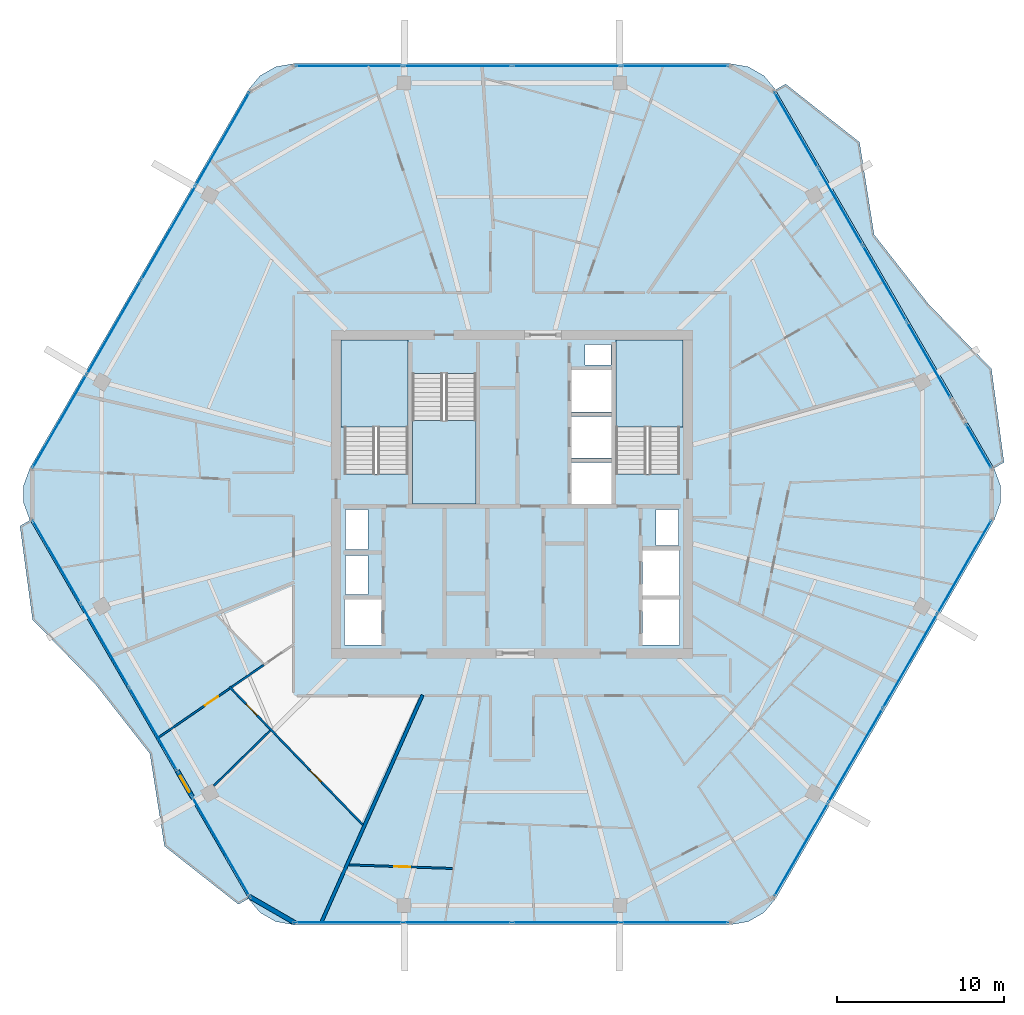
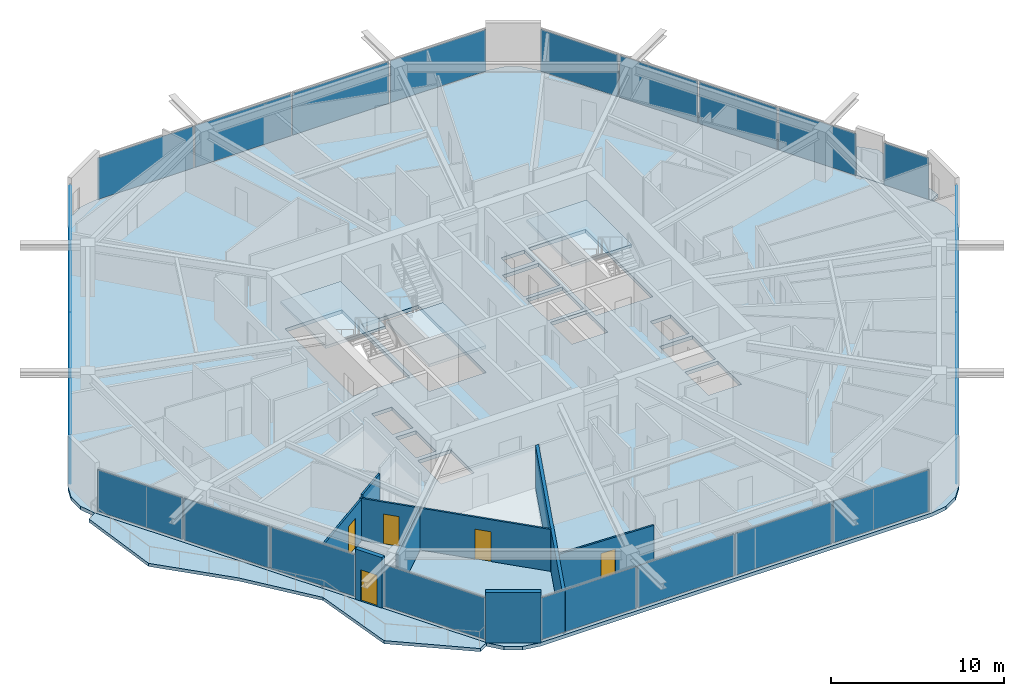
# One storey, part 17 of 26: 25 plates, 8 walls, 6 slabs, 5 doors, 5 openings, 11 elements without a shape of their own.
"""IFC4 building model written with IfcOpenShell, lengths in metres."""

from ifc_helpers import new_model, si_unit, direction, frame, frame_2d, origin, origin_2d, place, context, subcontext, project, spatial, polyline, rectangle, outline, extrude, material, layer, layer_set, type_object, element, fill, aggregate, save


model = new_model("IFC4")

# Units and contexts
model_context = context("Model", 3, precision=1e-05, world=origin(), true_north=direction((0.0, 1.0)))
body_context = subcontext(model_context, "Body", "Model", "MODEL_VIEW")
ifc_project = project(units=[si_unit("LENGTHUNIT", "METRE"), si_unit("AREAUNIT", "SQUARE_METRE"), si_unit("VOLUMEUNIT", "CUBIC_METRE"), si_unit("PLANEANGLEUNIT", "RADIAN"), si_unit("MASSUNIT", "GRAM", prefix="KILO")], contexts=[model_context])

# Site, building, storey
site_placement = place(None, origin())
site = spatial("IfcSite", under=ifc_project, at=site_placement, CompositionType="ELEMENT")
building_placement = place(site_placement, origin())
building = spatial("IfcBuilding", under=site, at=building_placement, Name="Zuhravey Tower", CompositionType="ELEMENT")
storey_placement = place(building_placement, frame((0.0, 0.0, 295.800048828125)))
storey = spatial("IfcBuildingStorey", under=building, at=storey_placement, Name="L75", CompositionType="ELEMENT", Elevation=295.800048828125)

# Slabs
ifc_material_1 = material(Name="Concrete C50/60", Category="concrete")
ifc_layer_1 = layer(ifc_material_1, 0.25)
ifc_layer_set_1 = layer_set([ifc_layer_1], Name="Concrete C50/60")
slab_type_1 = type_object("IfcSlabType", Name="Residential Acoustic Slab 250", PredefinedType="FLOOR", material=ifc_layer_set_1)
slab_1_placement = place(storey_placement, frame((0.0, 0.0, -0.25)))
element("IfcSlab", 1, at=slab_1_placement, inside=storey, type_object=slab_type_1, Name="L75 Floor Slab FS25", PredefinedType="FLOOR", context=body_context, shape_type="SweptSolid", body=[
    extrude(outline(polyline([(64.78515625, 30.449951171875), (65.1533203125, 31.461669921875), (65.1533203125, 32.538330078125), (64.78515625, 33.550048828125), (51.73486328125, 56.153564453125), (51.04296875, 56.978515625), (50.110595703125, 57.5166015625), (49.05029296875, 57.70361328125), (22.94970703125, 57.70361328125), (21.889404296875, 57.5166015625), (20.95703125, 56.978515625), (20.26513671875, 56.153564453125), (7.21484375, 33.550048828125), (6.8466796875, 32.538330078125), (6.8466796875, 31.461669921875), (7.21484375, 30.449951171875), (20.26513671875, 7.846435546875), (20.95703125, 7.021484375), (21.889404296875, 6.4833984375), (22.94970703125, 6.29638671875), (49.05029296875, 6.29638671875), (50.110595703125, 6.4833984375), (51.04296875, 7.021484375), (51.73486328125, 7.846435546875), (64.78515625, 30.449951171875)]), holes=[polyline([(29.800048828125, 33.20068359375), (29.800048828125, 41.0), (26.0, 41.0), (26.0, 33.20068359375), (29.800048828125, 33.20068359375)]), polyline([(46.0, 33.20068359375), (46.0, 41.0), (42.199951171875, 41.0), (42.199951171875, 33.20068359375), (46.0, 33.20068359375)]), polyline([(30.050048828125, 39.199462890625), (30.050048828125, 31.39990234375), (33.85009765625, 31.39990234375), (33.85009765625, 39.199462890625), (30.050048828125, 39.199462890625)]), polyline([(39.550048828125, 31.39990234375), (41.949951171875, 31.39990234375), (41.949951171875, 33.89990234375), (39.550048828125, 33.89990234375), (39.550048828125, 31.39990234375)]), polyline([(39.550048828125, 34.14990234375), (41.949951171875, 34.14990234375), (41.949951171875, 36.64990234375), (39.550048828125, 36.64990234375), (39.550048828125, 34.14990234375)]), polyline([(39.550048828125, 36.89990234375), (41.949951171875, 36.89990234375), (41.949951171875, 39.39990234375), (39.550048828125, 39.39990234375), (39.550048828125, 36.89990234375)]), polyline([(26.0, 23.0), (28.199951171875, 23.0), (28.199951171875, 25.699951171875), (26.0, 25.699951171875), (26.0, 23.0)]), polyline([(43.800048828125, 23.0), (46.0, 23.0), (46.0, 25.699951171875), (43.800048828125, 25.699951171875), (43.800048828125, 23.0)]), polyline([(43.800048828125, 25.949951171875), (46.0, 25.949951171875), (46.0, 28.64990234375), (43.800048828125, 28.64990234375), (43.800048828125, 25.949951171875)]), polyline([(26.050048828125, 26.0), (27.39990234375, 26.0), (27.39990234375, 28.35009765625), (26.050048828125, 28.35009765625), (26.050048828125, 26.0)]), polyline([(26.050048828125, 28.699951171875), (27.39990234375, 28.699951171875), (27.39990234375, 31.10009765625), (26.050048828125, 31.10009765625), (26.050048828125, 28.699951171875)]), polyline([(44.60009765625, 28.949951171875), (45.949951171875, 28.949951171875), (45.949951171875, 31.10009765625), (44.60009765625, 31.10009765625), (44.60009765625, 28.949951171875)]), polyline([(40.35009765625, 39.699951171875), (41.89990234375, 39.699951171875), (41.89990234375, 40.949951171875), (40.35009765625, 40.949951171875), (40.35009765625, 39.699951171875)])]), origin(), (0.0, 0.0, 1.0), 0.25),
])
ifc_material_2 = material(Name="Concrete C40/50", Category="concrete")
ifc_layer_2 = layer(ifc_material_2, 0.219970703125)
ifc_layer_set_2 = layer_set([ifc_layer_2], Name="Concrete C40/50")
slab_type_2 = type_object("IfcSlabType", Name="Sinusoidal Residential Wave Balcony 220", PredefinedType="FLOOR", material=ifc_layer_set_2)
slab_2_placement = place(storey_placement, frame((0.0, 0.0, -0.219970703125)))
element("IfcSlab", 2, at=slab_2_placement, inside=storey, type_object=slab_type_2, Name="L75 Face 4 Wave Balcony WB22", PredefinedType="FLOOR", context=body_context, shape_type="SweptSolid", body=[
    extrude(outline(polyline([(7.232177734375, 30.449951171875), (20.273681640625, 7.861328125), (19.66748046875, 7.511474609375), (15.253662109375, 10.986572265625), (14.38232421875, 16.50732421875), (11.13232421875, 20.654541015625), (7.376953125, 24.510009765625), (6.6259765625, 30.10009765625), (7.232177734375, 30.449951171875)])), origin(), (0.0, 0.0, 1.0), 0.219970703125),
])
slab_3_placement = place(storey_placement, frame((0.0, 0.0, -0.219970703125)))
element("IfcSlab", 3, at=slab_3_placement, inside=storey, type_object=slab_type_2, Name="L75 Face 1 Wave Balcony WB22", PredefinedType="FLOOR", context=body_context, shape_type="SweptSolid", body=[
    extrude(outline(polyline([(64.767822265625, 33.550048828125), (51.726318359375, 56.138671875), (52.33251953125, 56.488525390625), (56.746337890625, 53.013427734375), (57.61767578125, 47.49267578125), (60.86767578125, 43.345458984375), (64.623046875, 39.489990234375), (65.3740234375, 33.89990234375), (64.767822265625, 33.550048828125)])), origin(), (0.0, 0.0, 1.0), 0.219970703125),
])

# Stair, slab
stair_type = type_object("IfcStairType", Name="Housing Storey Stair Assembly 3800", PredefinedType="HALF_TURN_STAIR", material=ifc_material_2)
stair_1_placement = place(storey_placement, origin())
stair_1 = element("IfcStair", 4, at=stair_1_placement, inside=storey, type_object=stair_type, Name="L75 Core Exit Stair ST1", PredefinedType="HALF_TURN_STAIR")
ifc_layer_3 = layer(ifc_material_2, 0.199951171875)
ifc_layer_set_3 = layer_set([ifc_layer_3], Name="Concrete C40/50")
slab_type_3 = type_object("IfcSlabType", Name="Stair Landing Slab 200", PredefinedType="LANDING", material=ifc_layer_set_3)
slab_4_placement = place(storey_placement, frame((0.0, 0.0, 1.699951171875)))
slab_4 = element("IfcSlab", 5, at=slab_4_placement, type_object=slab_type_3, Name="ST1 landing 1", PredefinedType="LANDING", context=body_context, shape_type="SweptSolid", body=[
    extrude(outline(polyline([(29.800048828125, 36.0), (29.800048828125, 41.197998046875), (25.802001953125, 41.197998046875), (25.802001953125, 36.0), (29.800048828125, 36.0)])), origin(), (0.0, 0.0, 1.0), 0.199951171875),
])
aggregate(stair_1, [slab_4])

stair_2_placement = place(storey_placement, origin())
stair_2 = element("IfcStair", 6, at=stair_2_placement, inside=storey, type_object=stair_type, Name="L75 Core Exit Stair ST2", PredefinedType="HALF_TURN_STAIR")
slab_5_placement = place(storey_placement, frame((0.0, 0.0, 1.699951171875)))
slab_5 = element("IfcSlab", 7, at=slab_5_placement, type_object=slab_type_3, Name="ST2 landing 1", PredefinedType="LANDING", context=body_context, shape_type="SweptSolid", body=[
    extrude(outline(polyline([(46.197998046875, 36.0), (46.197998046875, 41.197998046875), (42.199951171875, 41.197998046875), (42.199951171875, 36.0), (46.197998046875, 36.0)])), origin(), (0.0, 0.0, 1.0), 0.199951171875),
])
aggregate(stair_2, [slab_5])

stair_3_placement = place(storey_placement, origin())
stair_3 = element("IfcStair", 8, at=stair_3_placement, inside=storey, type_object=stair_type, Name="L75 Core Exit Stair ST3", PredefinedType="HALF_TURN_STAIR")
slab_6_placement = place(storey_placement, frame((0.0, 0.0, 1.699951171875)))
slab_6 = element("IfcSlab", 9, at=slab_6_placement, type_object=slab_type_3, Name="ST3 landing 1", PredefinedType="LANDING", context=body_context, shape_type="SweptSolid", body=[
    extrude(outline(polyline([(30.050048828125, 36.39990234375), (30.050048828125, 31.39990234375), (33.85009765625, 31.39990234375), (33.85009765625, 36.39990234375), (30.050048828125, 36.39990234375)])), origin(), (0.0, 0.0, 1.0), 0.199951171875),
])
aggregate(stair_3, [slab_6])

# Curtain wall, plates
ifc_material_3 = material(Name="Thermally broken anodised aluminium", Category="aluminium")
curtain_wall_type = type_object("IfcCurtainWallType", Name="Zone 3-4 High-Rise Curtain Wall CW4", PredefinedType="NOTDEFINED", material=ifc_material_3)
curtain_wall_1_placement = place(storey_placement, origin())
curtain_wall_1 = element("IfcCurtainWall", 10, at=curtain_wall_1_placement, inside=storey, type_object=curtain_wall_type, Name="L75 CW4 CW-L75-F6-1", PredefinedType="NOTDEFINED")
ifc_material_4 = material(Name="Triple low-E insulated vision glass", Category="glass")
ifc_layer_4 = layer(ifc_material_4, 0.0419921875)
ifc_layer_set_4 = layer_set([ifc_layer_4], Name="Triple low-E insulated vision glass")
plate_type = type_object("IfcPlateType", Name="Triple Low-E Vision Panel", PredefinedType="CURTAIN_PANEL", material=ifc_layer_set_4)
plate_1_placement = place(storey_placement, frame((63.00732421875, 27.650634765625, 0.090087890625), z_axis=(0.0, 0.0, 1.0), x_axis=(-0.500000957414, -0.866024851021, 0.0)))
plate_1 = element("IfcPlate", 11, at=plate_1_placement, type_object=plate_type, Name="CW4 panel 1.1", PredefinedType="CURTAIN_PANEL", context=body_context, shape_type="SweptSolid", body=[
    extrude(rectangle(XDim=6.371337890625, YDim=0.0419921875, at=origin_2d()), origin(), (0.0, 0.0, 1.0), 2.94189453125),
])
plate_2_placement = place(storey_placement, frame((59.765380859375, 22.03564453125, 0.090087890625), z_axis=(0.0, 0.0, 1.0), x_axis=(-0.500000957414, -0.866024851021, 0.0)))
plate_2 = element("IfcPlate", 12, at=plate_2_placement, type_object=plate_type, Name="CW4 panel 2.1", PredefinedType="CURTAIN_PANEL", context=body_context, shape_type="SweptSolid", body=[
    extrude(rectangle(XDim=6.416259765625, YDim=0.0419921875, at=origin_2d()), origin(), (0.0, 0.0, 1.0), 2.94189453125),
])
plate_3_placement = place(storey_placement, frame((56.51220703125, 16.40087890625, 0.090087890625), z_axis=(0.0, 0.0, 1.0), x_axis=(-0.500000957414, -0.866024851021, 0.0)))
plate_3 = element("IfcPlate", 13, at=plate_3_placement, type_object=plate_type, Name="CW4 panel 3.1", PredefinedType="CURTAIN_PANEL", context=body_context, shape_type="SweptSolid", body=[
    extrude(rectangle(XDim=6.416259765625, YDim=0.0419921875, at=origin_2d()), origin(), (0.0, 0.0, 1.0), 2.94189453125),
])
plate_4_placement = place(storey_placement, frame((53.270263671875, 10.78564453125, 0.090087890625), z_axis=(0.0, 0.0, 1.0), x_axis=(-0.500000957414, -0.866024851021, 0.0)))
plate_4 = element("IfcPlate", 14, at=plate_4_placement, type_object=plate_type, Name="CW4 panel 4.1", PredefinedType="CURTAIN_PANEL", context=body_context, shape_type="SweptSolid", body=[
    extrude(rectangle(XDim=6.371337890625, YDim=0.0419921875, at=origin_2d()), origin(), (0.0, 0.0, 1.0), 2.94189453125),
])
aggregate(curtain_wall_1, [plate_1, plate_2, plate_3, plate_4])

curtain_wall_2_placement = place(storey_placement, origin())
curtain_wall_2 = element("IfcCurtainWall", 15, at=curtain_wall_2_placement, inside=storey, type_object=curtain_wall_type, Name="L75 CW4 CW-L75-F5-1", PredefinedType="NOTDEFINED")
plate_5_placement = place(storey_placement, frame((45.737060546875, 6.436279296875, 0.090087890625), z_axis=(0.0, 0.0, 1.0), x_axis=(-1.0, 0.0, 0.0)))
plate_5 = element("IfcPlate", 16, at=plate_5_placement, type_object=plate_type, Name="CW4 panel 1.1", PredefinedType="CURTAIN_PANEL", context=body_context, shape_type="SweptSolid", body=[
    extrude(rectangle(XDim=6.371337890625, YDim=0.0419921875, at=origin_2d()), origin(), (0.0, 0.0, 1.0), 2.94189453125),
])
plate_6_placement = place(storey_placement, frame((39.253173828125, 6.436279296875, 0.090087890625), z_axis=(0.0, 0.0, 1.0), x_axis=(-1.0, 0.0, 0.0)))
plate_6 = element("IfcPlate", 17, at=plate_6_placement, type_object=plate_type, Name="CW4 panel 2.1", PredefinedType="CURTAIN_PANEL", context=body_context, shape_type="SweptSolid", body=[
    extrude(rectangle(XDim=6.416259765625, YDim=0.0419921875, at=origin_2d()), origin(), (0.0, 0.0, 1.0), 2.94189453125),
])
plate_7_placement = place(storey_placement, frame((32.746826171875, 6.436279296875, 0.090087890625), z_axis=(0.0, 0.0, 1.0), x_axis=(-1.0, 0.0, 0.0)))
plate_7 = element("IfcPlate", 18, at=plate_7_placement, type_object=plate_type, Name="CW4 panel 3.1", PredefinedType="CURTAIN_PANEL", context=body_context, shape_type="SweptSolid", body=[
    extrude(rectangle(XDim=6.416259765625, YDim=0.0419921875, at=origin_2d()), origin(), (0.0, 0.0, 1.0), 2.94189453125),
])
plate_8_placement = place(storey_placement, frame((26.262939453125, 6.436279296875, 0.090087890625), z_axis=(0.0, 0.0, 1.0), x_axis=(-1.0, 0.0, 0.0)))
plate_8 = element("IfcPlate", 19, at=plate_8_placement, type_object=plate_type, Name="CW4 panel 4.1", PredefinedType="CURTAIN_PANEL", context=body_context, shape_type="SweptSolid", body=[
    extrude(rectangle(XDim=6.371337890625, YDim=0.0419921875, at=origin_2d()), origin(), (0.0, 0.0, 1.0), 2.94189453125),
])
aggregate(curtain_wall_2, [plate_5, plate_6, plate_7, plate_8])

# Curtain wall, plate
curtain_wall_3_placement = place(storey_placement, origin())
curtain_wall_3 = element("IfcCurtainWall", 20, at=curtain_wall_3_placement, inside=storey, type_object=curtain_wall_type, Name="L75 CW4 CW-L75-F4-1", PredefinedType="NOTDEFINED")
plate_9_placement = place(storey_placement, frame((18.629150390625, 10.9599609375, 0.090087890625), z_axis=(0.0, 0.0, 1.0), x_axis=(-0.500002531699, 0.866023942102, 0.0)))
plate_9 = element("IfcPlate", 21, at=plate_9_placement, type_object=plate_type, Name="CW4 panel 1.1", PredefinedType="CURTAIN_PANEL", context=body_context, shape_type="SweptSolid", body=[
    extrude(rectangle(XDim=6.77392578125, YDim=0.0419921875, at=origin_2d()), origin(), (0.0, 0.0, 1.0), 2.94189453125),
])
aggregate(curtain_wall_3, [plate_9])

# Curtain wall, plates
curtain_wall_4_placement = place(storey_placement, origin())
curtain_wall_4 = element("IfcCurtainWall", 22, at=curtain_wall_4_placement, inside=storey, type_object=curtain_wall_type, Name="L75 CW4 CW-L75-F4-2", PredefinedType="NOTDEFINED")
plate_10_placement = place(storey_placement, frame((14.581787109375, 17.97021484375, 0.090087890625), z_axis=(0.0, 0.0, 1.0), x_axis=(-0.499999344402, 0.866025782294, 0.0)))
plate_10 = element("IfcPlate", 23, at=plate_10_placement, type_object=plate_type, Name="CW4 panel 1.1", PredefinedType="CURTAIN_PANEL", context=body_context, shape_type="SweptSolid", body=[
    extrude(rectangle(XDim=5.655517578125, YDim=0.0419921875, at=origin_2d()), origin(), (0.0, 0.0, 1.0), 2.94189453125),
])
plate_11_placement = place(storey_placement, frame((11.69775390625, 22.96533203125, 0.090087890625), z_axis=(0.0, 0.0, 1.0), x_axis=(-0.499999344402, 0.866025782294, 0.0)))
plate_11 = element("IfcPlate", 24, at=plate_11_placement, type_object=plate_type, Name="CW4 panel 2.1", PredefinedType="CURTAIN_PANEL", context=body_context, shape_type="SweptSolid", body=[
    extrude(rectangle(XDim=5.700439453125, YDim=0.0419921875, at=origin_2d()), origin(), (0.0, 0.0, 1.0), 2.94189453125),
])
plate_12_placement = place(storey_placement, frame((8.813720703125, 27.960693359375, 0.090087890625), z_axis=(0.0, 0.0, 1.0), x_axis=(-0.499999344402, 0.866025782294, 0.0)))
plate_12 = element("IfcPlate", 25, at=plate_12_placement, type_object=plate_type, Name="CW4 panel 3.1", PredefinedType="CURTAIN_PANEL", context=body_context, shape_type="SweptSolid", body=[
    extrude(rectangle(XDim=5.655517578125, YDim=0.0419921875, at=origin_2d()), origin(), (0.0, 0.0, 1.0), 2.94189453125),
])
aggregate(curtain_wall_4, [plate_10, plate_11, plate_12])

curtain_wall_5_placement = place(storey_placement, origin())
curtain_wall_5 = element("IfcCurtainWall", 26, at=curtain_wall_5_placement, inside=storey, type_object=curtain_wall_type, Name="L75 CW4 CW-L75-F3-1", PredefinedType="NOTDEFINED")
plate_13_placement = place(storey_placement, frame((8.99267578125, 36.349365234375, 0.090087890625), z_axis=(0.0, 0.0, 1.0), x_axis=(0.500000957414, 0.866024851021, 0.0)))
plate_13 = element("IfcPlate", 27, at=plate_13_placement, type_object=plate_type, Name="CW4 panel 1.1", PredefinedType="CURTAIN_PANEL", context=body_context, shape_type="SweptSolid", body=[
    extrude(rectangle(XDim=6.371337890625, YDim=0.0419921875, at=origin_2d()), origin(), (0.0, 0.0, 1.0), 2.94189453125),
])
plate_14_placement = place(storey_placement, frame((12.234619140625, 41.96435546875, 0.090087890625), z_axis=(0.0, 0.0, 1.0), x_axis=(0.500000957414, 0.866024851021, 0.0)))
plate_14 = element("IfcPlate", 28, at=plate_14_placement, type_object=plate_type, Name="CW4 panel 2.1", PredefinedType="CURTAIN_PANEL", context=body_context, shape_type="SweptSolid", body=[
    extrude(rectangle(XDim=6.416259765625, YDim=0.0419921875, at=origin_2d()), origin(), (0.0, 0.0, 1.0), 2.94189453125),
])
plate_15_placement = place(storey_placement, frame((15.48779296875, 47.59912109375, 0.090087890625), z_axis=(0.0, 0.0, 1.0), x_axis=(0.500000957414, 0.866024851021, 0.0)))
plate_15 = element("IfcPlate", 29, at=plate_15_placement, type_object=plate_type, Name="CW4 panel 3.1", PredefinedType="CURTAIN_PANEL", context=body_context, shape_type="SweptSolid", body=[
    extrude(rectangle(XDim=6.416259765625, YDim=0.0419921875, at=origin_2d()), origin(), (0.0, 0.0, 1.0), 2.94189453125),
])
plate_16_placement = place(storey_placement, frame((18.729736328125, 53.21435546875, 0.090087890625), z_axis=(0.0, 0.0, 1.0), x_axis=(0.500000957414, 0.866024851021, 0.0)))
plate_16 = element("IfcPlate", 30, at=plate_16_placement, type_object=plate_type, Name="CW4 panel 4.1", PredefinedType="CURTAIN_PANEL", context=body_context, shape_type="SweptSolid", body=[
    extrude(rectangle(XDim=6.371337890625, YDim=0.0419921875, at=origin_2d()), origin(), (0.0, 0.0, 1.0), 2.94189453125),
])
aggregate(curtain_wall_5, [plate_13, plate_14, plate_15, plate_16])

curtain_wall_6_placement = place(storey_placement, origin())
curtain_wall_6 = element("IfcCurtainWall", 31, at=curtain_wall_6_placement, inside=storey, type_object=curtain_wall_type, Name="L75 CW4 CW-L75-F2-1", PredefinedType="NOTDEFINED")
plate_17_placement = place(storey_placement, frame((26.262939453125, 57.563720703125, 0.090087890625), z_axis=(0.0, 0.0, 1.0), x_axis=(1.0, 0.0, 0.0)))
plate_17 = element("IfcPlate", 32, at=plate_17_placement, type_object=plate_type, Name="CW4 panel 1.1", PredefinedType="CURTAIN_PANEL", context=body_context, shape_type="SweptSolid", body=[
    extrude(rectangle(XDim=6.371337890625, YDim=0.0419921875, at=origin_2d()), origin(), (0.0, 0.0, 1.0), 2.94189453125),
])
plate_18_placement = place(storey_placement, frame((32.746826171875, 57.563720703125, 0.090087890625), z_axis=(0.0, 0.0, 1.0), x_axis=(1.0, 0.0, 0.0)))
plate_18 = element("IfcPlate", 33, at=plate_18_placement, type_object=plate_type, Name="CW4 panel 2.1", PredefinedType="CURTAIN_PANEL", context=body_context, shape_type="SweptSolid", body=[
    extrude(rectangle(XDim=6.416259765625, YDim=0.0419921875, at=origin_2d()), origin(), (0.0, 0.0, 1.0), 2.94189453125),
])
plate_19_placement = place(storey_placement, frame((39.253173828125, 57.563720703125, 0.090087890625), z_axis=(0.0, 0.0, 1.0), x_axis=(1.0, 0.0, 0.0)))
plate_19 = element("IfcPlate", 34, at=plate_19_placement, type_object=plate_type, Name="CW4 panel 3.1", PredefinedType="CURTAIN_PANEL", context=body_context, shape_type="SweptSolid", body=[
    extrude(rectangle(XDim=6.416259765625, YDim=0.0419921875, at=origin_2d()), origin(), (0.0, 0.0, 1.0), 2.94189453125),
])
plate_20_placement = place(storey_placement, frame((45.737060546875, 57.563720703125, 0.090087890625), z_axis=(0.0, 0.0, 1.0), x_axis=(1.0, 0.0, 0.0)))
plate_20 = element("IfcPlate", 35, at=plate_20_placement, type_object=plate_type, Name="CW4 panel 4.1", PredefinedType="CURTAIN_PANEL", context=body_context, shape_type="SweptSolid", body=[
    extrude(rectangle(XDim=6.371337890625, YDim=0.0419921875, at=origin_2d()), origin(), (0.0, 0.0, 1.0), 2.94189453125),
])
aggregate(curtain_wall_6, [plate_17, plate_18, plate_19, plate_20])

curtain_wall_7_placement = place(storey_placement, origin())
curtain_wall_7 = element("IfcCurtainWall", 36, at=curtain_wall_7_placement, inside=storey, type_object=curtain_wall_type, Name="L75 CW4 CW-L75-F1-1", PredefinedType="NOTDEFINED")
plate_21_placement = place(storey_placement, frame((52.9677734375, 53.73828125, 0.090087890625), z_axis=(0.0, 0.0, 1.0), x_axis=(0.500001532463, -0.866024519015, 0.0)))
plate_21 = element("IfcPlate", 37, at=plate_21_placement, type_object=plate_type, Name="CW4 panel 1.1", PredefinedType="CURTAIN_PANEL", context=body_context, shape_type="SweptSolid", body=[
    extrude(rectangle(XDim=5.1611328125, YDim=0.0419921875, at=origin_2d()), origin(), (0.0, 0.0, 1.0), 2.94189453125),
])
plate_22_placement = place(storey_placement, frame((55.6044921875, 49.171142578125, 0.090087890625), z_axis=(0.0, 0.0, 1.0), x_axis=(0.500001532463, -0.866024519015, 0.0)))
plate_22 = element("IfcPlate", 38, at=plate_22_placement, type_object=plate_type, Name="CW4 panel 2.1", PredefinedType="CURTAIN_PANEL", context=body_context, shape_type="SweptSolid", body=[
    extrude(rectangle(XDim=5.206298828125, YDim=0.0419921875, at=origin_2d()), origin(), (0.0, 0.0, 1.0), 2.94189453125),
])
plate_23_placement = place(storey_placement, frame((58.252685546875, 44.58447265625, 0.090087890625), z_axis=(0.0, 0.0, 1.0), x_axis=(0.500001532463, -0.866024519015, 0.0)))
plate_23 = element("IfcPlate", 39, at=plate_23_placement, type_object=plate_type, Name="CW4 panel 3.1", PredefinedType="CURTAIN_PANEL", context=body_context, shape_type="SweptSolid", body=[
    extrude(rectangle(XDim=5.206298828125, YDim=0.0419921875, at=origin_2d()), origin(), (0.0, 0.0, 1.0), 2.94189453125),
])
plate_24_placement = place(storey_placement, frame((60.889404296875, 40.017333984375, 0.090087890625), z_axis=(0.0, 0.0, 1.0), x_axis=(0.500001532463, -0.866024519015, 0.0)))
plate_24 = element("IfcPlate", 40, at=plate_24_placement, type_object=plate_type, Name="CW4 panel 4.1", PredefinedType="CURTAIN_PANEL", context=body_context, shape_type="SweptSolid", body=[
    extrude(rectangle(XDim=5.1611328125, YDim=0.0419921875, at=origin_2d()), origin(), (0.0, 0.0, 1.0), 2.94189453125),
])
aggregate(curtain_wall_7, [plate_21, plate_22, plate_23, plate_24])

# Curtain wall, plate
curtain_wall_8_placement = place(storey_placement, origin())
curtain_wall_8 = element("IfcCurtainWall", 41, at=curtain_wall_8_placement, inside=storey, type_object=curtain_wall_type, Name="L75 CW4 CW-L75-F1-2", PredefinedType="NOTDEFINED")
plate_25_placement = place(storey_placement, frame((63.85986328125, 34.87255859375, 0.090087890625), z_axis=(0.0, 0.0, 1.0), x_axis=(0.499991642518, -0.866030228925, 0.0)))
plate_25 = element("IfcPlate", 42, at=plate_25_placement, type_object=plate_type, Name="CW4 panel 1.1", PredefinedType="CURTAIN_PANEL", context=body_context, shape_type="SweptSolid", body=[
    extrude(rectangle(XDim=2.960693359375, YDim=0.0419921875, at=origin_2d()), origin(), (0.0, 0.0, 1.0), 2.94189453125),
])
aggregate(curtain_wall_8, [plate_25])

# Wall
ifc_material_5 = material(Name="Precast concrete C40/50", Category="concrete")
ifc_layer_5 = layer(ifc_material_5, 0.280029296875)
ifc_layer_set_5 = layer_set([ifc_layer_5], Name="Precast concrete C40/50")
wall_type_1 = type_object("IfcWallType", Name="Crown Architectural Wall 280", PredefinedType="SOLIDWALL", material=ifc_layer_set_5)
wall_1_placement = place(storey_placement, frame((23.069580078125, 6.388916015625, 0.0), z_axis=(0.0, 0.0, 1.0), x_axis=(-0.866028773314, 0.499994163758, 0.0)))
element("IfcWall", 43, at=wall_1_placement, inside=storey, type_object=wall_type_1, Name="L75 Rounded Corner Closure Wall EW28-04", PredefinedType="SOLIDWALL", context=body_context, shape_type="SweptSolid", body=[
    extrude(rectangle(XDim=3.21484375, YDim=0.280029296875, at=frame_2d((1.607421875, 0.0))), origin(), (0.0, 0.0, 1.0), 3.550048828125),
])

# Wall, opening, door
wall_2_placement = place(storey_placement, frame((16.9130859375, 13.93212890625, 0.0), z_axis=(0.0, 0.0, 1.0), x_axis=(-0.499982180423, 0.866035691677, 0.0)))
wall_2 = element("IfcWall", 44, at=wall_2_placement, inside=storey, type_object=wall_type_1, Name="L75 Face 4 Facade Pier EW28-1", PredefinedType="SOLIDWALL", context=body_context, shape_type="SweptSolid", body=[
    extrude(rectangle(XDim=1.7900390625, YDim=0.280029296875, at=frame_2d((0.89501953125, 0.0))), origin(), (0.0, 0.0, 1.0), 3.550048828125),
])
opening_1_placement = place(wall_2_placement, frame((0.344970703125, 0.0, 0.0)))
opening_1 = element("IfcOpeningElement", 45, at=opening_1_placement, cuts=wall_2, Name="Opening BLD1", PredefinedType="OPENING", context=body_context, shape_type="SweptSolid", body=[
    extrude(rectangle(XDim=1.10009765625, YDim=2.199951171875, at=frame_2d((0.550048828125, 1.10009765625))), frame((0.0, 0.152099609375, 0.0), z_axis=(0.0, -1.0, 0.0), x_axis=(1.0, 0.0, 0.0)), (0.0, 0.0, 1.0), 0.303955078125),
])
ifc_material_6 = material(Name="Thermally broken aluminium and low-E glass", Category="aluminium")
door_type_1 = type_object("IfcDoorType", Name="Balcony & Sky-Tray Glazed Door 1100x2200", OperationType="NOTDEFINED", PredefinedType="DOOR", material=ifc_material_6)
door_1_placement = place(opening_1_placement, frame((1.10009765625, 0.0, 0.0), z_axis=(0.0, 0.0, 1.0), x_axis=(-1.0, 0.0, 0.0)))
door_1 = element("IfcDoor", 46, at=door_1_placement, inside=storey, type_object=door_type_1, Name="L75 Face 4 Wave Balcony Door", OperationType="SINGLE_SWING_LEFT", OverallHeight=2.199951171875, OverallWidth=1.10009765625, PredefinedType="DOOR", context=body_context, shape_type="SweptSolid", body=[
    extrude(rectangle(XDim=1.10009765625, YDim=2.199951171875, at=frame_2d((0.550048828125, 1.10009765625))), frame((0.0, 0.02490234375, 0.0), z_axis=(0.0, -1.0, 0.0), x_axis=(1.0, 0.0, 0.0)), (0.0, 0.0, 1.0), 0.050048828125),
])
fill(opening_1, door_1)

# Wall
ifc_material_7 = material(Name="Gypsum double-stud party assembly")
ifc_layer_6 = layer(ifc_material_7, 0.199951171875)
ifc_layer_set_6 = layer_set([ifc_layer_6], Name="Gypsum double-stud party assembly")
wall_type_2 = type_object("IfcWallType", Name="Inter-Tenancy Party Wall 200", PredefinedType="PARTITIONING", material=ifc_layer_set_6)
wall_3_placement = place(storey_placement, frame((30.66162109375, 20.010009765625, 0.0), z_axis=(0.0, 0.0, 1.0), x_axis=(-0.406725337387, -0.913550491176, 0.0)))
element("IfcWall", 47, at=wall_3_placement, inside=storey, type_object=wall_type_2, Name="L75 IW20 Partition 066", PredefinedType="PARTITIONING", context=body_context, shape_type="SweptSolid", body=[
    extrude(rectangle(XDim=14.858154296875, YDim=0.199951171875, at=frame_2d((7.42919921875, 0.0))), origin(), (0.0, 0.0, 1.0), 2.929931640625),
])

# Wall, openings, doors
ifc_material_8 = material(Name="Gypsum metal-stud partition")
ifc_layer_7 = layer(ifc_material_8, 0.1201171875)
ifc_layer_set_7 = layer_set([ifc_layer_7], Name="Gypsum metal-stud partition")
wall_type_3 = type_object("IfcWallType", Name="Unit Internal Partition 120", PredefinedType="PARTITIONING", material=ifc_layer_set_7)
wall_4_placement = place(storey_placement, frame((19.12744140625, 20.5078125, 0.0), z_axis=(0.0, 0.0, 1.0), x_axis=(0.694661267459, -0.719337002727, 0.0)))
wall_4 = element("IfcWall", 48, at=wall_4_placement, inside=storey, type_object=wall_type_3, Name="L75 IW12 Partition 021", PredefinedType="PARTITIONING", context=body_context, shape_type="SweptSolid", body=[
    extrude(rectangle(XDim=11.48681640625, YDim=0.1201171875, at=frame_2d((5.743408203125, 0.0))), origin(), (0.0, 0.0, 1.0), 2.949951171875),
])
opening_2_placement = place(wall_4_placement, frame((1.4384765625, 0.0, 0.0)))
opening_2 = element("IfcOpeningElement", 49, at=opening_2_placement, cuts=wall_4, Name="Opening IND1", PredefinedType="OPENING", context=body_context, shape_type="SweptSolid", body=[
    extrude(rectangle(XDim=0.949951171875, YDim=2.10009765625, at=frame_2d((0.47509765625, 1.050048828125))), frame((0.0, 0.072021484375, 0.0), z_axis=(0.0, -1.0, 0.0), x_axis=(1.0, 0.0, 0.0)), (0.0, 0.0, 1.0), 0.14404296875),
])
opening_3_placement = place(wall_4_placement, frame((6.94189453125, 0.0, 0.0)))
opening_3 = element("IfcOpeningElement", 50, at=opening_3_placement, cuts=wall_4, Name="Opening IND1", PredefinedType="OPENING", context=body_context, shape_type="SweptSolid", body=[
    extrude(rectangle(XDim=0.949951171875, YDim=2.10009765625, at=frame_2d((0.47509765625, 1.050048828125))), frame((0.0, 0.072021484375, 0.0), z_axis=(0.0, -1.0, 0.0), x_axis=(1.0, 0.0, 0.0)), (0.0, 0.0, 1.0), 0.14404296875),
])
ifc_material_9 = material(Name="Painted engineered timber leaf", Category="wood")
door_type_2 = type_object("IfcDoorType", Name="Internal Room & Bedroom Door 950x2100", OperationType="NOTDEFINED", PredefinedType="DOOR", material=ifc_material_9)
door_2_placement = place(opening_2_placement, frame((0.949951171875, 0.0, 0.0), z_axis=(0.0, 0.0, 1.0), x_axis=(-1.0, 0.0, 0.0)))
door_2 = element("IfcDoor", 51, at=door_2_placement, inside=storey, type_object=door_type_2, Name="Apartment L75-01 Family Study Door", OperationType="SINGLE_SWING_LEFT", OverallHeight=2.10009765625, OverallWidth=0.949951171875, PredefinedType="DOOR", context=body_context, shape_type="SweptSolid", body=[
    extrude(rectangle(XDim=0.949951171875, YDim=2.10009765625, at=frame_2d((0.47509765625, 1.050048828125))), frame((0.0, 0.02490234375, 0.0), z_axis=(0.0, -1.0, 0.0), x_axis=(1.0, 0.0, 0.0)), (0.0, 0.0, 1.0), 0.050048828125),
])
fill(opening_2, door_2)
door_3_placement = place(opening_3_placement, frame((0.949951171875, 0.0, 0.0), z_axis=(0.0, 0.0, 1.0), x_axis=(-1.0, 0.0, 0.0)))
door_3 = element("IfcDoor", 52, at=door_3_placement, inside=storey, type_object=door_type_2, Name="Apartment L75-01 Dining Room Door", OperationType="SINGLE_SWING_RIGHT", OverallHeight=2.10009765625, OverallWidth=0.949951171875, PredefinedType="DOOR", context=body_context, shape_type="SweptSolid", body=[
    extrude(rectangle(XDim=0.949951171875, YDim=2.10009765625, at=frame_2d((0.47509765625, 1.050048828125))), frame((0.0, 0.02490234375, 0.0), z_axis=(0.0, -1.0, 0.0), x_axis=(1.0, 0.0, 0.0)), (0.0, 0.0, 1.0), 0.050048828125),
])
fill(opening_3, door_3)

# Wall
wall_5_placement = place(storey_placement, frame((21.185791015625, 21.80322265625, 0.0), z_axis=(0.0, 0.0, 1.0), x_axis=(-0.823756191061, -0.566944210384, 0.0)))
element("IfcWall", 53, at=wall_5_placement, inside=storey, type_object=wall_type_3, Name="L75 IW12 Partition 023", PredefinedType="PARTITIONING", context=body_context, shape_type="SweptSolid", body=[
    extrude(rectangle(XDim=2.34423828125, YDim=0.1201171875, at=frame_2d((1.172119140625, 0.0))), origin(), (0.0, 0.0, 1.0), 3.14990234375),
])

# Wall, opening, door
wall_6_placement = place(storey_placement, frame((19.14111328125, 20.39599609375, 0.0), z_axis=(0.0, 0.0, 1.0), x_axis=(-0.823725661839, -0.566988566047, 0.0)))
wall_6 = element("IfcWall", 54, at=wall_6_placement, inside=storey, type_object=wall_type_3, Name="L75 IW12 Partition 024", PredefinedType="PARTITIONING", context=body_context, shape_type="SweptSolid", body=[
    extrude(rectangle(XDim=5.1826171875, YDim=0.1201171875, at=frame_2d((2.59130859375, 0.0))), origin(), (0.0, 0.0, 1.0), 2.929931640625),
])
opening_4_placement = place(wall_6_placement, frame((0.85009765625, 0.0, 0.0)))
opening_4 = element("IfcOpeningElement", 55, at=opening_4_placement, cuts=wall_6, Name="Opening IND1", PredefinedType="OPENING", context=body_context, shape_type="SweptSolid", body=[
    extrude(rectangle(XDim=0.949951171875, YDim=2.10009765625, at=frame_2d((0.47509765625, 1.050048828125))), frame((0.0, 0.072021484375, 0.0), z_axis=(0.0, -1.0, 0.0), x_axis=(1.0, 0.0, 0.0)), (0.0, 0.0, 1.0), 0.14404296875),
])
door_4_placement = place(opening_4_placement, frame((0.949951171875, 0.0, 0.0), z_axis=(0.0, 0.0, 1.0), x_axis=(-1.0, 0.0, 0.0)))
door_4 = element("IfcDoor", 56, at=door_4_placement, inside=storey, type_object=door_type_2, Name="Apartment L75-01 Bedroom 1 Door", OperationType="SINGLE_SWING_RIGHT", OverallHeight=2.10009765625, OverallWidth=0.949951171875, PredefinedType="DOOR", context=body_context, shape_type="SweptSolid", body=[
    extrude(rectangle(XDim=0.949951171875, YDim=2.10009765625, at=frame_2d((0.47509765625, 1.050048828125))), frame((0.0, 0.02490234375, 0.0), z_axis=(0.0, -1.0, 0.0), x_axis=(1.0, 0.0, 0.0)), (0.0, 0.0, 1.0), 0.050048828125),
])
fill(opening_4, door_4)

wall_7_placement = place(storey_placement, frame((26.268310546875, 9.869140625, 0.0), z_axis=(0.0, 0.0, 1.0), x_axis=(0.9993904508, -0.034910268536, 0.0)))
wall_7 = element("IfcWall", 57, at=wall_7_placement, inside=storey, type_object=wall_type_3, Name="L75 IW12 Partition 030", PredefinedType="PARTITIONING", context=body_context, shape_type="SweptSolid", body=[
    extrude(rectangle(XDim=6.175048828125, YDim=0.1201171875, at=frame_2d((3.08740234375, 0.0))), origin(), (0.0, 0.0, 1.0), 2.949951171875),
])
opening_5_placement = place(wall_7_placement, frame((2.697265625, 0.0, 0.0)))
opening_5 = element("IfcOpeningElement", 58, at=opening_5_placement, cuts=wall_7, Name="Opening IND1", PredefinedType="OPENING", context=body_context, shape_type="SweptSolid", body=[
    extrude(rectangle(XDim=0.949951171875, YDim=2.10009765625, at=frame_2d((0.47509765625, 1.050048828125))), frame((0.0, 0.072021484375, 0.0), z_axis=(0.0, -1.0, 0.0), x_axis=(1.0, 0.0, 0.0)), (0.0, 0.0, 1.0), 0.14404296875),
])
door_5_placement = place(opening_5_placement, frame((0.949951171875, 0.0, 0.0), z_axis=(0.0, 0.0, 1.0), x_axis=(-1.0, 0.0, 0.0)))
door_5 = element("IfcDoor", 59, at=door_5_placement, inside=storey, type_object=door_type_2, Name="Apartment L75-02 Bedroom 1 Door", OperationType="SINGLE_SWING_RIGHT", OverallHeight=2.10009765625, OverallWidth=0.949951171875, PredefinedType="DOOR", context=body_context, shape_type="SweptSolid", body=[
    extrude(rectangle(XDim=0.949951171875, YDim=2.10009765625, at=frame_2d((0.47509765625, 1.050048828125))), frame((0.0, 0.02490234375, 0.0), z_axis=(0.0, -1.0, 0.0), x_axis=(1.0, 0.0, 0.0)), (0.0, 0.0, 1.0), 0.050048828125),
])
fill(opening_5, door_5)

# Wall
wall_8_placement = place(storey_placement, frame((21.570556640625, 17.880126953125, 0.0), z_axis=(0.0, 0.0, 1.0), x_axis=(-0.714721208256, -0.699409461238, 0.0)))
element("IfcWall", 60, at=wall_8_placement, inside=storey, type_object=wall_type_3, Name="L75 IW12 Partition 063", PredefinedType="PARTITIONING", context=body_context, shape_type="SweptSolid", body=[
    extrude(rectangle(XDim=4.70361328125, YDim=0.1201171875, at=frame_2d((2.351806640625, 0.0))), origin(), (0.0, 0.0, 1.0), 2.949951171875),
])

save(model, "model.ifc")
